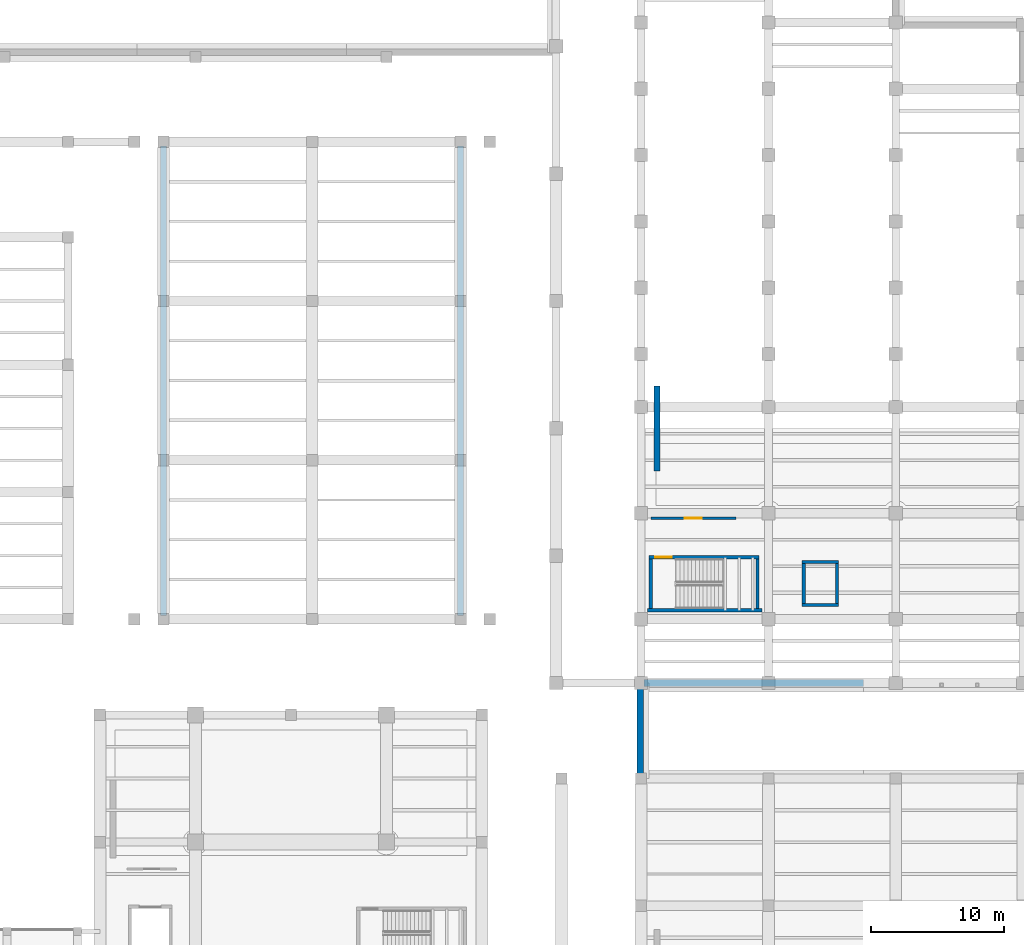
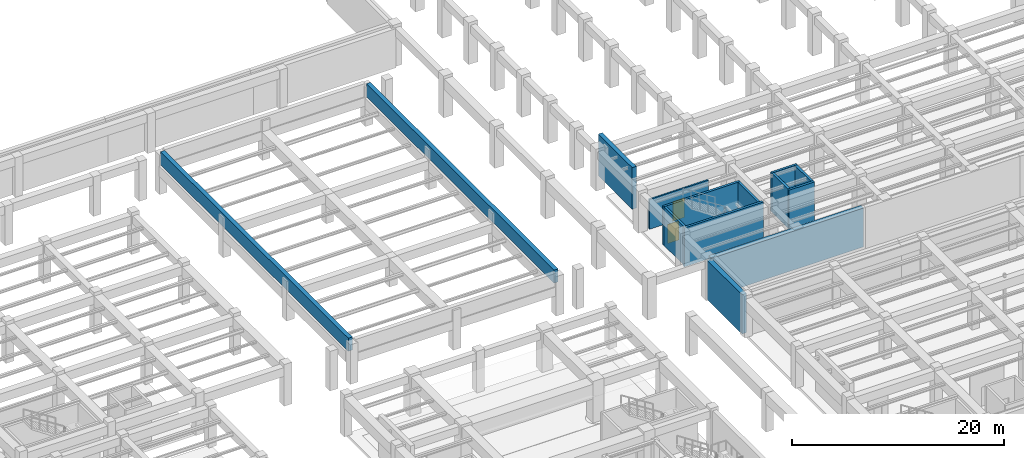
# One storey, part 26 of 45: 14 walls, 2 doors, 2 openings.
"""IFC4 building model written with IfcOpenShell, lengths in metres."""

from ifc_helpers import new_model, si_unit, direction, frame, frame_2d, origin, place, context, subcontext, project, spatial, rectangle, extrude, material, layer, layer_set, type_object, element, fill, save


model = new_model("IFC4")

# Units and contexts
model_context = context("Model", 3, precision=1e-05, world=origin(), true_north=direction((0.0, 1.0)))
body_context = subcontext(model_context, "Body", "Model", "MODEL_VIEW")
ifc_project = project(units=[si_unit("LENGTHUNIT", "METRE"), si_unit("AREAUNIT", "SQUARE_METRE"), si_unit("VOLUMEUNIT", "CUBIC_METRE"), si_unit("PLANEANGLEUNIT", "RADIAN"), si_unit("MASSUNIT", "GRAM", prefix="KILO")], contexts=[model_context])

# Site, building, storey
site_placement = place(None, origin())
site = spatial("IfcSite", under=ifc_project, at=site_placement, CompositionType="ELEMENT")
building_placement = place(site_placement, origin())
building = spatial("IfcBuilding", under=site, at=building_placement, Name="Mavantir Sound Aquarium", CompositionType="ELEMENT")
storey_placement = place(building_placement, frame((0.0, 0.0, -4.800048828125)))
storey = spatial("IfcBuildingStorey", under=building, at=storey_placement, Name="B1", CompositionType="ELEMENT", Elevation=-4.800048828125)

# Wall, opening, door
ifc_material_1 = material(Name="Acoustic Metal-Stud Gypsum Partition", Category="gypsum")
ifc_layer_1 = layer(ifc_material_1, 0.179931640625, Name="Acoustic Metal-Stud Gypsum Partition")
ifc_layer_set_1 = layer_set([ifc_layer_1], Name="Acoustic Metal-Stud Gypsum Partition")
wall_type_1 = type_object("IfcWallType", Name="IW-PART-180", PredefinedType="PARTITIONING", material=ifc_layer_set_1)
wall_1_placement = place(storey_placement, frame((108.75, 48.425048828125, 0.0), z_axis=(0.0, 0.0, 1.0), x_axis=(1.0, 0.0, 0.0)))
wall_1 = element("IfcWall", 1, at=wall_1_placement, inside=storey, type_object=wall_type_1, Name="B1 Salt Mixing and Reef Quarantine Husbandry Prep entry partition", PredefinedType="PARTITIONING", context=body_context, shape_type="SweptSolid", body=[
    extrude(rectangle(XDim=6.39990234375, YDim=0.179931640625, at=frame_2d((3.199951171875, 0.0))), origin(), (0.0, 0.0, 1.0), 3.43603515625),
])
opening_1_placement = place(wall_1_placement, frame((2.56005859375, 0.0, 0.0)))
opening_1 = element("IfcOpeningElement", 2, at=opening_1_placement, cuts=wall_1, Name="Opening ID-10", PredefinedType="OPENING", context=body_context, shape_type="SweptSolid", body=[
    extrude(rectangle(XDim=1.280029296875, YDim=2.25, at=frame_2d((0.64013671875, 1.125))), frame((0.0, 0.10009765625, 0.0), z_axis=(0.0, -1.0, 0.0), x_axis=(1.0, 0.0, 0.0)), (0.0, 0.0, 1.0), 0.199951171875),
])
ifc_material_2 = material(Name="Solid-Core Marine Hardwood and Vision-Panel Door", Category="wood")
door_type_1 = type_object("IfcDoorType", Name="DR-INT-10", OperationType="NOTDEFINED", PredefinedType="DOOR", material=ifc_material_2)
door_1_placement = place(opening_1_placement, origin())
door_1 = element("IfcDoor", 3, at=door_1_placement, inside=storey, type_object=door_type_1, Name="Salt Mixing and Reef Quarantine Husbandry Prep door", OperationType="SINGLE_SWING_RIGHT", OverallHeight=2.25, OverallWidth=1.280029296875, PredefinedType="DOOR", context=body_context, shape_type="SweptSolid", body=[
    extrude(rectangle(XDim=1.280029296875, YDim=2.25, at=frame_2d((0.64013671875, 1.125))), frame((0.0, 0.02490234375, 0.0), z_axis=(0.0, -1.0, 0.0), x_axis=(1.0, 0.0, 0.0)), (0.0, 0.0, 1.0), 0.050048828125),
])
fill(opening_1, door_1)

# Wall
ifc_material_3 = material(Name="Concrete C40/50", Category="concrete")
ifc_layer_2 = layer(ifc_material_3, 0.25, Name="Concrete C40/50")
ifc_layer_set_2 = layer_set([ifc_layer_2], Name="Concrete C40/50")
wall_type_2 = type_object("IfcWallType", Name="IW-SHAFT-250", PredefinedType="SHEAR", material=ifc_layer_set_2)
wall_2_placement = place(storey_placement, frame((108.5, 41.47509765625, 0.0), z_axis=(0.0, 0.0, 1.0), x_axis=(1.0, 0.0, 0.0)))
element("IfcWall", 4, at=wall_2_placement, inside=storey, type_object=wall_type_2, Name="B1 stair ST4 shaft wall S", PredefinedType="SHEAR", context=body_context, shape_type="SweptSolid", body=[
    extrude(rectangle(XDim=8.60009765625, YDim=0.25, at=frame_2d((4.300048828125, 0.0))), origin(), (0.0, 0.0, 1.0), 4.469970703125),
])

# Wall, opening, door
wall_3_placement = place(storey_placement, frame((116.89990234375, 45.47509765625, 0.0), z_axis=(0.0, 0.0, 1.0), x_axis=(-1.0, 0.0, 0.0)))
wall_3 = element("IfcWall", 5, at=wall_3_placement, inside=storey, type_object=wall_type_2, Name="B1 stair ST4 shaft wall N", PredefinedType="SHEAR", context=body_context, shape_type="SweptSolid", body=[
    extrude(rectangle(XDim=8.2998046875, YDim=0.25, at=frame_2d((4.14990234375, 0.0))), origin(), (0.0, 0.0, 1.0), 4.469970703125),
])
opening_2_placement = place(wall_3_placement, frame((7.85009765625, 0.0, 0.0), z_axis=(0.0, 0.0, 1.0), x_axis=(-1.0, 0.0, 0.0)))
opening_2 = element("IfcOpeningElement", 6, at=opening_2_placement, cuts=wall_3, Name="Opening SD-01", PredefinedType="OPENING", context=body_context, shape_type="SweptSolid", body=[
    extrude(rectangle(XDim=1.25, YDim=2.199951171875, at=frame_2d((0.625, 1.10009765625))), frame((0.0, 0.135009765625, 0.0), z_axis=(0.0, -1.0, 0.0), x_axis=(1.0, 0.0, 0.0)), (0.0, 0.0, 1.0), 0.27001953125),
])
ifc_material_4 = material(Name="Fire-Rated Steel Acoustic Door Leaf", Category="steel")
door_type_2 = type_object("IfcDoorType", Name="DR-ST-125", OperationType="NOTDEFINED", PredefinedType="DOOR", material=ifc_material_4)
door_2_placement = place(opening_2_placement, origin())
door_2 = element("IfcDoor", 7, at=door_2_placement, inside=storey, type_object=door_type_2, Name="B1 protected exit stair ST4 door", OperationType="SINGLE_SWING_RIGHT", OverallHeight=2.199951171875, OverallWidth=1.25, PredefinedType="DOOR", context=body_context, shape_type="SweptSolid", body=[
    extrude(rectangle(XDim=1.25, YDim=2.199951171875, at=frame_2d((0.625, 1.10009765625))), frame((0.0, 0.02490234375, 0.0), z_axis=(0.0, -1.0, 0.0), x_axis=(1.0, 0.0, 0.0)), (0.0, 0.0, 1.0), 0.050048828125),
])
fill(opening_2, door_2)

# Walls
for number, where, z_axis, x_axis, name in (
    (8, (108.72509765625, 45.35009765625, 0.0), (0.0, 0.0, 1.0), (0.0, -1.0, 0.0), "B1 stair ST4 shaft wall W"),
    (9, (116.77490234375, 41.60009765625, 0.0), (0.0, 0.0, 1.0), (0.0, 1.0, 0.0), "B1 stair ST4 shaft wall E"),
):
    element("IfcWall", number, at=place(storey_placement, frame(where, z_axis=z_axis, x_axis=x_axis)), inside=storey, type_object=wall_type_2, Name=name, PredefinedType="SHEAR", context=body_context, shape_type="SweptSolid", body=[
        extrude(rectangle(XDim=3.75, YDim=0.25, at=frame_2d((1.875, 0.0))), origin(), (0.0, 0.0, 1.0), 4.469970703125),
    ])
for number, where, z_axis, x_axis, name in (
    (10, (120.14990234375, 41.875, 0.0), (0.0, 0.0, 1.0), (1.0, 0.0, 0.0), "B1 lift LC4 shaft wall S"),
    (11, (120.14990234375, 45.125, 0.0), (0.0, 0.0, 1.0), (1.0, 0.0, 0.0), "B1 lift LC4 shaft wall N"),
):
    element("IfcWall", number, at=place(storey_placement, frame(where, z_axis=z_axis, x_axis=x_axis)), inside=storey, type_object=wall_type_2, Name=name, PredefinedType="SHEAR", context=body_context, shape_type="SweptSolid", body=[
        extrude(rectangle(XDim=2.75, YDim=0.25, at=frame_2d((1.375, 0.0))), origin(), (0.0, 0.0, 1.0), 4.510009765625),
    ])
for number, where, z_axis, x_axis, name in (
    (12, (120.27490234375, 42.0, 0.0), (0.0, 0.0, 1.0), (0.0, 1.0, 0.0), "B1 lift LC4 shaft wall W"),
    (13, (122.77490234375, 42.0, 0.0), (0.0, 0.0, 1.0), (0.0, 1.0, 0.0), "B1 lift LC4 shaft wall E"),
):
    element("IfcWall", number, at=place(storey_placement, frame(where, z_axis=z_axis, x_axis=x_axis)), inside=storey, type_object=wall_type_2, Name=name, PredefinedType="SHEAR", context=body_context, shape_type="SweptSolid", body=[
        extrude(rectangle(XDim=3.0, YDim=0.25, at=frame_2d((1.5, 0.0))), origin(), (0.0, 0.0, 1.0), 4.510009765625),
    ])
ifc_layer_3 = layer(ifc_material_3, 0.5, Name="Concrete C40/50")
ifc_layer_set_3 = layer_set([ifc_layer_3], Name="Concrete C40/50")
wall_type_3 = type_object("IfcWallType", Name="SW-RET-500", PredefinedType="USERDEFINED", material=ifc_layer_set_3)
wall_4_placement = place(storey_placement, frame((124.762939453125, 36.0, 0.0), z_axis=(0.0, 0.0, 1.0), x_axis=(-1.0, 0.0, 0.0)))
element("IfcWall", 14, at=wall_4_placement, inside=storey, type_object=wall_type_3, Name="B1 perimeter plinth retaining wall 70", ObjectType="RETAINING WALL", PredefinedType="USERDEFINED", context=body_context, shape_type="SweptSolid", body=[
    extrude(rectangle(XDim=16.532958984375, YDim=0.5, at=frame_2d((8.2666015625, 0.0))), origin(), (0.0, 0.0, 1.0), 4.5),
])
wall_5_placement = place(storey_placement, frame((107.949951171875, 35.719970703125, 0.0), z_axis=(0.0, 0.0, 1.0), x_axis=(0.0, -1.0, 0.0)))
element("IfcWall", 15, at=wall_5_placement, inside=storey, type_object=wall_type_3, Name="B1 perimeter plinth retaining wall 72", ObjectType="RETAINING WALL", PredefinedType="USERDEFINED", context=body_context, shape_type="SweptSolid", body=[
    extrude(rectangle(XDim=6.639892578125, YDim=0.5, at=frame_2d((3.31982421875, 0.0))), origin(), (0.0, 0.0, 1.0), 4.5),
])
for number, where, z_axis, x_axis, name in (
    (16, (72.0, 41.10009765625, 3.300048828125), (0.0, 0.0, 1.0), (0.0, 1.0, 0.0), "B1 sculpted court retaining wall RW-BASIN-W"),
    (17, (94.39990234375, 41.10009765625, 3.300048828125), (0.0, 0.0, 1.0), (0.0, 1.0, 0.0), "B1 sculpted court retaining wall RW-BASIN-E"),
):
    element("IfcWall", number, at=place(storey_placement, frame(where, z_axis=z_axis, x_axis=x_axis)), inside=storey, type_object=wall_type_3, Name=name, ObjectType="RETAINING WALL", PredefinedType="USERDEFINED", context=body_context, shape_type="SweptSolid", body=[
        extrude(rectangle(XDim=35.39990234375, YDim=0.449951171875, at=frame_2d((17.699951171875, 0.0))), origin(), (0.0, 0.0, 1.0), 1.5),
    ])
ifc_layer_4 = layer(ifc_material_3, 0.449951171875, Name="Concrete C40/50")
ifc_layer_set_4 = layer_set([ifc_layer_4], Name="Concrete C40/50")
wall_type_4 = type_object("IfcWallType", Name="SW-SHR-450", PredefinedType="SHEAR", material=ifc_layer_set_4)
wall_6_placement = place(storey_placement, frame((109.199951171875, 52.0, 0.0), z_axis=(0.0, 0.0, 1.0), x_axis=(0.0, 1.0, 0.0)))
element("IfcWall", 18, at=wall_6_placement, inside=storey, type_object=wall_type_4, Name="B1 special RC shear wall 25 (V4)", PredefinedType="SHEAR", context=body_context, shape_type="SweptSolid", body=[
    extrude(rectangle(XDim=6.39990234375, YDim=0.449951171875, at=frame_2d((3.199951171875, 0.0))), origin(), (0.0, 0.0, 1.0), 4.800048828125),
])

save(model, "model.ifc")
